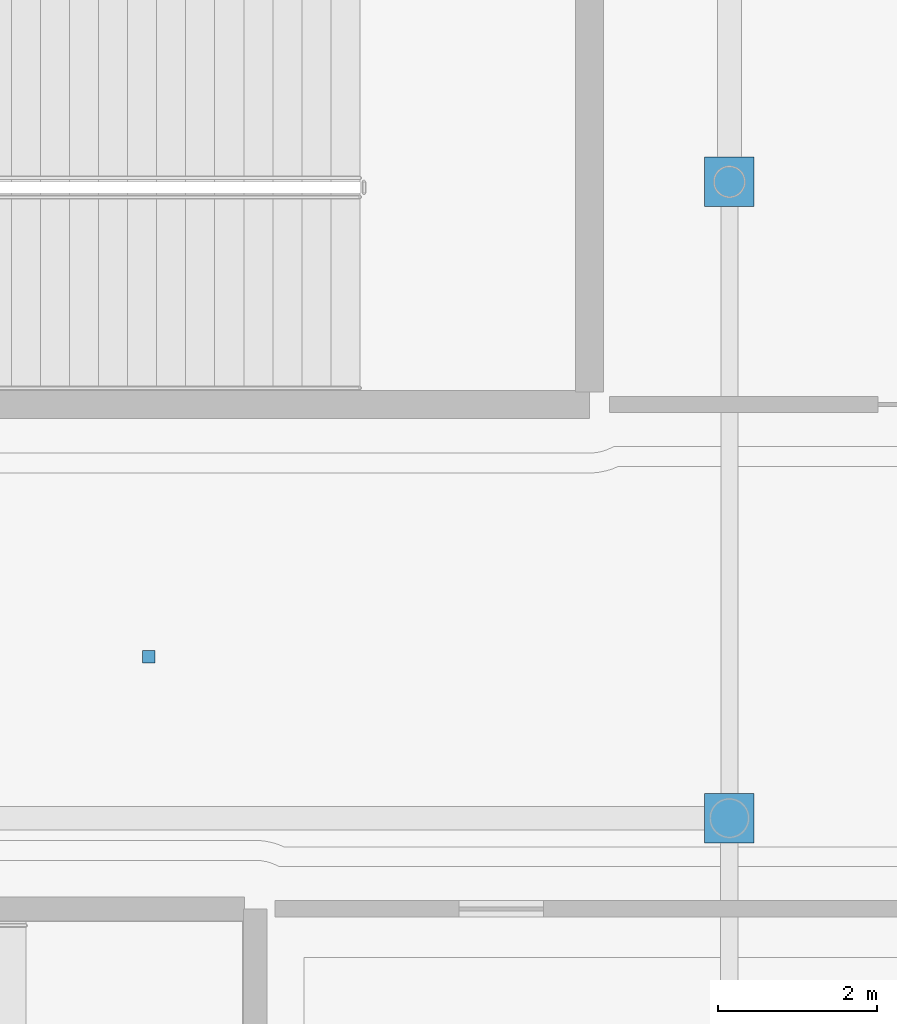
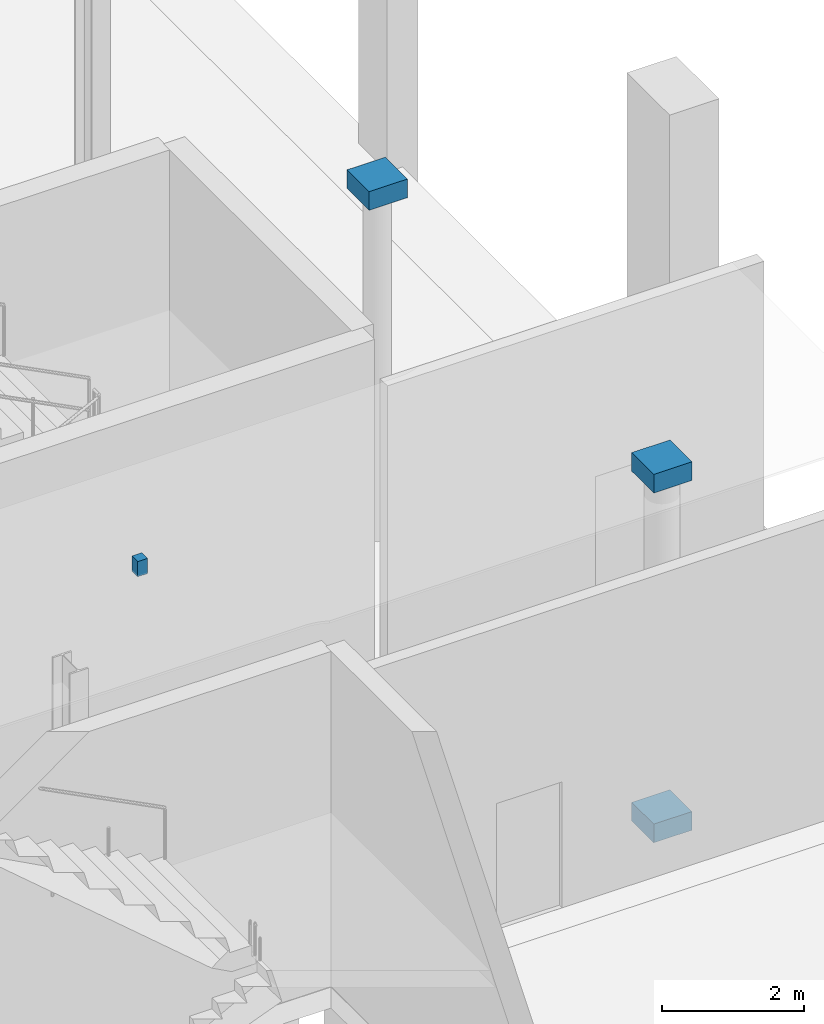
# One storey, part 97 of 124: 4 discrete accessories.
"""IFC4 building model written with IfcOpenShell, lengths in metres."""

from ifc_helpers import new_model, si_unit, direction, frame, origin, origin_2d, place, context, subcontext, project, spatial, rectangle, extrude, material, type_object, element, save


model = new_model("IFC4")

# Units and contexts
model_context = context("Model", 3, precision=1e-05, world=origin(), true_north=direction((0.0, 1.0)))
body_context = subcontext(model_context, "Body", "Model", "MODEL_VIEW")
ifc_project = project(units=[si_unit("LENGTHUNIT", "METRE"), si_unit("AREAUNIT", "SQUARE_METRE"), si_unit("VOLUMEUNIT", "CUBIC_METRE"), si_unit("PLANEANGLEUNIT", "RADIAN"), si_unit("MASSUNIT", "GRAM", prefix="KILO")], contexts=[model_context])

# Site, building, storey
site_placement = place(None, origin())
site = spatial("IfcSite", under=ifc_project, at=site_placement, CompositionType="ELEMENT")
building_placement = place(site_placement, origin())
building = spatial("IfcBuilding", under=site, at=building_placement, Name="Danafjord Basin Convention Centre", CompositionType="ELEMENT")
storey_placement = place(building_placement, origin())
storey = spatial("IfcBuildingStorey", under=building, at=storey_placement, Name="L00", CompositionType="ELEMENT", Elevation=0.0)

# Discrete accessories
ifc_material_1 = material(Name="Stainless steel EN 1.4404", Category="steel")
discrete_accessory_type_1 = type_object("IfcDiscreteAccessoryType", Name="ACC-FIN-BRK", PredefinedType="BRACKET", material=ifc_material_1)
discrete_accessory_placement = place(storey_placement, frame((203.89990234375, 50.030029296875, 5.509765625), z_axis=(0.0, 0.0, 1.0), x_axis=(1.0, 0.0, 0.0)))
element("IfcDiscreteAccessory", 1, at=discrete_accessory_placement, inside=storey, type_object=discrete_accessory_type_1, Name="Suspended ceiling steel hanger assembly", PredefinedType="BRACKET", context=body_context, shape_type="SweptSolid", body=[
    extrude(rectangle(XDim=0.159912109375, YDim=0.159912109375, at=origin_2d()), origin(), (0.0, 0.0, 1.0), 0.260009765625),
])
ifc_material_2 = material(Name="Steel S355", Category="steel")
discrete_accessory_type_2 = type_object("IfcDiscreteAccessoryType", Name="ACC-SF-HUB", PredefinedType="BRACKET", material=ifc_material_2)
for number, where, z_axis, x_axis, name in (
    (2, (211.199951171875, 48.0, -0.16015625), (0.0, 0.0, 1.0), (1.0, 0.0, 0.0), "Tubular steel column transition collar"),
    (3, (211.199951171875, 48.0, 5.83984375), (0.0, 0.0, 1.0), (1.0, 0.0, 0.0), "Tubular steel column top cap plate"),
    (4, (211.199951171875, 56.0, 5.83984375), (0.0, 0.0, 1.0), (1.0, 0.0, 0.0), "Tubular steel column top cap plate"),
):
    element("IfcDiscreteAccessory", number, at=place(storey_placement, frame(where, z_axis=z_axis, x_axis=x_axis)), inside=storey, type_object=discrete_accessory_type_2, Name=name, PredefinedType="BRACKET", context=body_context, shape_type="SweptSolid", body=[
        extrude(rectangle(XDim=0.6201171875, YDim=0.6201171875, at=origin_2d()), origin(), (0.0, 0.0, 1.0), 0.320068359375),
    ])

save(model, "model.ifc")
